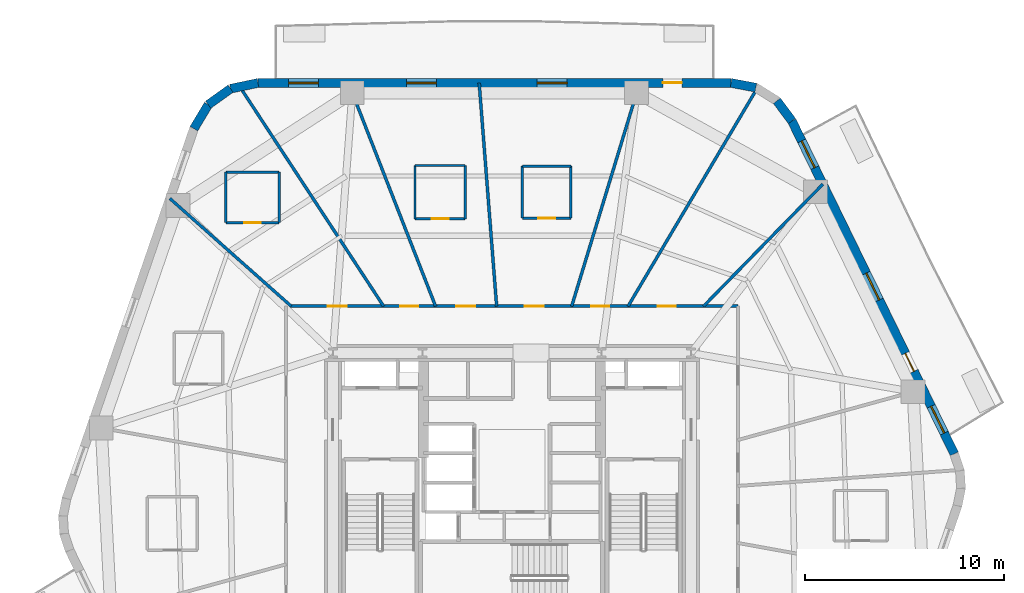
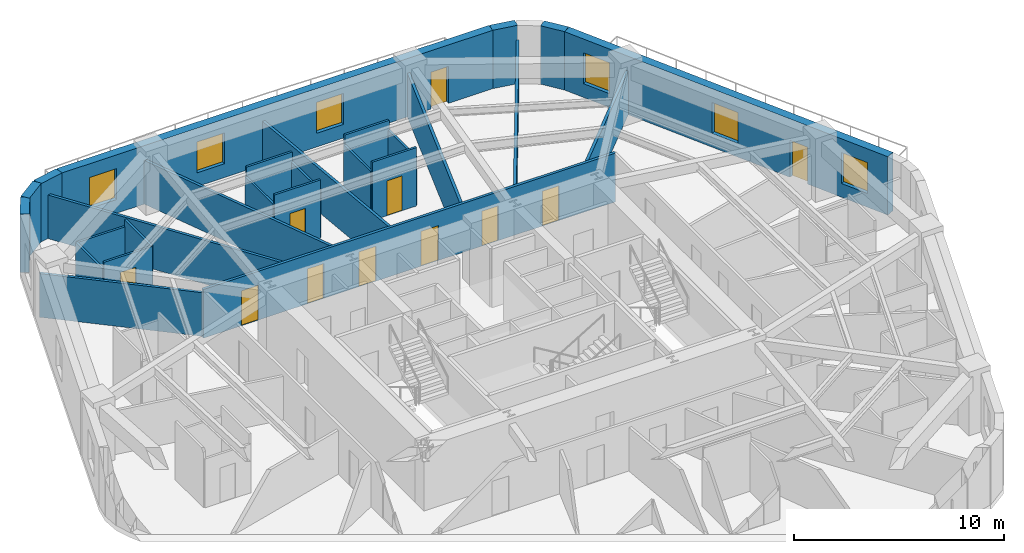
# One storey, part 6 of 10: 27 walls, 11 doors, 6 windows, 17 openings.
"""IFC4 building model written with IfcOpenShell, lengths in metres."""

from ifc_helpers import new_model, si_unit, direction, frame, frame_2d, origin, place, context, subcontext, project, spatial, rectangle, extrude, material, layer, layer_set, type_object, element, fill, save


model = new_model("IFC4")

# Units and contexts
model_context = context("Model", 3, precision=1e-05, world=origin(), true_north=direction((0.0, 1.0)))
body_context = subcontext(model_context, "Body", "Model", "MODEL_VIEW")
ifc_project = project(units=[si_unit("LENGTHUNIT", "METRE"), si_unit("AREAUNIT", "SQUARE_METRE"), si_unit("VOLUMEUNIT", "CUBIC_METRE"), si_unit("PLANEANGLEUNIT", "RADIAN"), si_unit("MASSUNIT", "GRAM", prefix="KILO")], contexts=[model_context])

# Site, building, storey
site_placement = place(None, origin())
site = spatial("IfcSite", under=ifc_project, at=site_placement, CompositionType="ELEMENT")
building_placement = place(site_placement, origin())
building = spatial("IfcBuilding", under=site, at=building_placement, Name="Kilnhurst Terrace Hotel", CompositionType="ELEMENT")
storey_placement = place(building_placement, frame((0.0, 0.0, 98.800048828125)))
storey = spatial("IfcBuildingStorey", under=building, at=storey_placement, Name="L23", CompositionType="ELEMENT", Elevation=98.800048828125)

# Walls
ifc_material_1 = material(Name="Precast concrete C40/50", Category="concrete")
ifc_layer_1 = layer(ifc_material_1, 0.449951171875, Name="Precast concrete C40/50")
ifc_layer_set_1 = layer_set([ifc_layer_1], Name="Precast concrete C40/50")
wall_type_1 = type_object("IfcWallType", Name="WL-BRK-450", PredefinedType="SOLIDWALL", material=ifc_layer_set_1)
for number, where, z_axis, x_axis, name in (
    (1, (14.07568359375, 19.16064453125, 0.0), (0.0, 0.0, 1.0), (-0.597226657159, 0.802072515412, 0.0), "L23 Rounded Corner Brick Wall C4.1"),
    (2, (12.25927734375, 20.840087890625, 0.0), (0.0, 0.0, 1.0), (-0.982730354425, 0.185043374624, 0.0), "L23 Rounded Corner Brick Wall C4.3"),
):
    element("IfcWall", number, at=place(storey_placement, frame(where, z_axis=z_axis, x_axis=x_axis)), inside=storey, type_object=wall_type_1, Name=name, PredefinedType="SOLIDWALL", context=body_context, shape_type="SweptSolid", body=[
        extrude(rectangle(XDim=1.269287109375, YDim=0.449951171875, at=frame_2d((0.634765625, 0.0))), origin(), (0.0, 0.0, 1.0), 3.39990234375),
    ])
wall_1_placement = place(storey_placement, frame((-12.7705078125, 21.074951171875, 0.0), z_axis=(0.0, 0.0, 1.0), x_axis=(-0.97874281988, -0.205091424819, 0.0)))
element("IfcWall", 3, at=wall_1_placement, inside=storey, type_object=wall_type_1, Name="L23 Rounded Corner Brick Wall C5.1", PredefinedType="SOLIDWALL", context=body_context, shape_type="SweptSolid", body=[
    extrude(rectangle(XDim=1.40576171875, YDim=0.449951171875, at=frame_2d((0.702880859375, 0.0))), origin(), (0.0, 0.0, 1.0), 3.39990234375),
])
wall_2_placement = place(storey_placement, frame((-14.146484375, 20.78662109375, 0.0), z_axis=(0.0, 0.0, 1.0), x_axis=(-0.814162929117, -0.580636482536, 0.0)))
element("IfcWall", 4, at=wall_2_placement, inside=storey, type_object=wall_type_1, Name="L23 Rounded Corner Brick Wall C5.2", PredefinedType="SOLIDWALL", context=body_context, shape_type="SweptSolid", body=[
    extrude(rectangle(XDim=1.382080078125, YDim=0.449951171875, at=frame_2d((0.69091796875, 0.0))), origin(), (0.0, 0.0, 1.0), 3.39990234375),
])
wall_3_placement = place(storey_placement, frame((-15.271728515625, 19.984130859375, 0.0), z_axis=(0.0, 0.0, 1.0), x_axis=(-0.512579347361, -0.858639862025, 0.0)))
element("IfcWall", 5, at=wall_3_placement, inside=storey, type_object=wall_type_1, Name="L23 Rounded Corner Brick Wall C5.3", PredefinedType="SOLIDWALL", context=body_context, shape_type="SweptSolid", body=[
    extrude(rectangle(XDim=1.406005859375, YDim=0.449951171875, at=frame_2d((0.703125, 0.0))), origin(), (0.0, 0.0, 1.0), 3.39990234375),
])

# Wall, openings, door, windows
wall_4_placement = place(storey_placement, frame((22.237548828125, 2.426513671875, 0.0), z_axis=(0.0, 0.0, 1.0), x_axis=(-0.438374803278, 0.898792262901, 0.0)))
wall_4 = element("IfcWall", 6, at=wall_4_placement, inside=storey, type_object=wall_type_1, Name="L23 Exterior Brick Facade Wall F3", PredefinedType="SOLIDWALL", context=body_context, shape_type="SweptSolid", body=[
    extrude(rectangle(XDim=18.618408203125, YDim=0.449951171875, at=frame_2d((9.30908203125, 0.0))), origin(), (0.0, 0.0, 1.0), 3.39990234375),
])
opening_1_placement = place(wall_4_placement, frame((4.6201171875, 0.0, 0.0)))
opening_1 = element("IfcOpeningElement", 7, at=opening_1_placement, cuts=wall_4, Name="Opening BD-1000", PredefinedType="OPENING", context=body_context, shape_type="SweptSolid", body=[
    extrude(rectangle(XDim=1.0, YDim=2.14990234375, at=frame_2d((0.5, 1.074951171875))), frame((0.0, 0.23486328125, 0.0), z_axis=(0.0, -1.0, 0.0), x_axis=(1.0, 0.0, 0.0)), (0.0, 0.0, 1.0), 0.469970703125),
])
opening_2_placement = place(wall_4_placement, frame((1.1630859375, 0.0, 0.800048828125)))
opening_2 = element("IfcOpeningElement", 8, at=opening_2_placement, cuts=wall_4, Name="Opening W-02", PredefinedType="OPENING", context=body_context, shape_type="SweptSolid", body=[
    extrude(rectangle(XDim=1.5, YDim=1.800048828125, at=frame_2d((0.75, 0.89990234375))), frame((0.0, 0.23486328125, 0.0), z_axis=(0.0, -1.0, 0.0), x_axis=(1.0, 0.0, 0.0)), (0.0, 0.0, 1.0), 0.469970703125),
])
opening_3_placement = place(wall_4_placement, frame((8.610107421875, 0.0, 0.800048828125)))
opening_3 = element("IfcOpeningElement", 9, at=opening_3_placement, cuts=wall_4, Name="Opening W-02", PredefinedType="OPENING", context=body_context, shape_type="SweptSolid", body=[
    extrude(rectangle(XDim=1.5, YDim=1.800048828125, at=frame_2d((0.75, 0.89990234375))), frame((0.0, 0.23486328125, 0.0), z_axis=(0.0, -1.0, 0.0), x_axis=(1.0, 0.0, 0.0)), (0.0, 0.0, 1.0), 0.469970703125),
])
opening_4_placement = place(wall_4_placement, frame((16.006103515625, 0.0, 0.800048828125)))
opening_4 = element("IfcOpeningElement", 10, at=opening_4_placement, cuts=wall_4, Name="Opening W-02", PredefinedType="OPENING", context=body_context, shape_type="SweptSolid", body=[
    extrude(rectangle(XDim=1.5, YDim=1.800048828125, at=frame_2d((0.75, 0.89990234375))), frame((0.0, 0.23486328125, 0.0), z_axis=(0.0, -1.0, 0.0), x_axis=(1.0, 0.0, 0.0)), (0.0, 0.0, 1.0), 0.469970703125),
])
ifc_material_2 = material(Name="Thermally Broken Bronze Aluminium Alloy 6063-T6 and Laminated Glass", Category="aluminium")
door_type_1 = type_object("IfcDoorType", Name="DR-EXT-BAL-1000", OperationType="NOTDEFINED", PredefinedType="DOOR", material=ifc_material_2)
door_1_placement = place(opening_1_placement, origin())
door_1 = element("IfcDoor", 11, at=door_1_placement, inside=storey, type_object=door_type_1, Name="L23 Planted Balcony Door BAL-L1A", OperationType="SINGLE_SWING_LEFT", OverallHeight=2.14990234375, OverallWidth=1.0, PredefinedType="DOOR", context=body_context, shape_type="SweptSolid", body=[
    extrude(rectangle(XDim=1.0, YDim=2.14990234375, at=frame_2d((0.5, 1.074951171875))), frame((0.0, 0.02490234375, 0.0), z_axis=(0.0, -1.0, 0.0), x_axis=(1.0, 0.0, 0.0)), (0.0, 0.0, 1.0), 0.050048828125),
])
fill(opening_1, door_1)
ifc_material_3 = material(Name="Thermally Broken Bronze Aluminium Alloy 6063-T6 and Low-E Glass", Category="aluminium")
window_type = type_object("IfcWindowType", Name="WIN-1500X1800", PartitioningType="SINGLE_PANEL", PredefinedType="WINDOW", material=ifc_material_3)
window_1_placement = place(opening_2_placement, origin())
window_1 = element("IfcWindow", 12, at=window_1_placement, inside=storey, type_object=window_type, Name="L23 Deep-Set Masonry Window F3.1", OverallHeight=1.800048828125, OverallWidth=1.5, PartitioningType="SINGLE_PANEL", PredefinedType="WINDOW", context=body_context, shape_type="SweptSolid", body=[
    extrude(rectangle(XDim=1.5, YDim=1.800048828125, at=frame_2d((0.75, 0.89990234375))), frame((0.0, 0.030029296875, 0.0), z_axis=(0.0, -1.0, 0.0), x_axis=(1.0, 0.0, 0.0)), (0.0, 0.0, 1.0), 0.06005859375),
])
fill(opening_2, window_1)
window_2_placement = place(opening_3_placement, origin())
window_2 = element("IfcWindow", 13, at=window_2_placement, inside=storey, type_object=window_type, Name="L23 Deep-Set Masonry Window F3.2", OverallHeight=1.800048828125, OverallWidth=1.5, PartitioningType="SINGLE_PANEL", PredefinedType="WINDOW", context=body_context, shape_type="SweptSolid", body=[
    extrude(rectangle(XDim=1.5, YDim=1.800048828125, at=frame_2d((0.75, 0.89990234375))), frame((0.0, 0.030029296875, 0.0), z_axis=(0.0, -1.0, 0.0), x_axis=(1.0, 0.0, 0.0)), (0.0, 0.0, 1.0), 0.06005859375),
])
fill(opening_3, window_2)
window_3_placement = place(opening_4_placement, origin())
window_3 = element("IfcWindow", 14, at=window_3_placement, inside=storey, type_object=window_type, Name="L23 Deep-Set Masonry Window F3.3", OverallHeight=1.800048828125, OverallWidth=1.5, PartitioningType="SINGLE_PANEL", PredefinedType="WINDOW", context=body_context, shape_type="SweptSolid", body=[
    extrude(rectangle(XDim=1.5, YDim=1.800048828125, at=frame_2d((0.75, 0.89990234375))), frame((0.0, 0.030029296875, 0.0), z_axis=(0.0, -1.0, 0.0), x_axis=(1.0, 0.0, 0.0)), (0.0, 0.0, 1.0), 0.06005859375),
])
fill(opening_4, window_3)

wall_5_placement = place(storey_placement, frame((11.011962890625, 21.074951171875, 0.0), z_axis=(0.0, 0.0, 1.0), x_axis=(-1.0, 0.0, 0.0)))
wall_5 = element("IfcWall", 15, at=wall_5_placement, inside=storey, type_object=wall_type_1, Name="L23 Exterior Brick Facade Wall F4", PredefinedType="SOLIDWALL", context=body_context, shape_type="SweptSolid", body=[
    extrude(rectangle(XDim=23.782470703125, YDim=0.449951171875, at=frame_2d((11.89111328125, 0.0))), origin(), (0.0, 0.0, 1.0), 3.39990234375),
])
opening_5_placement = place(wall_5_placement, frame((2.472900390625, 0.0, 0.0)))
opening_5 = element("IfcOpeningElement", 16, at=opening_5_placement, cuts=wall_5, Name="Opening BD-950", PredefinedType="OPENING", context=body_context, shape_type="SweptSolid", body=[
    extrude(rectangle(XDim=0.949951171875, YDim=2.14990234375, at=frame_2d((0.47509765625, 1.074951171875))), frame((0.0, 0.23486328125, 0.0), z_axis=(0.0, -1.0, 0.0), x_axis=(1.0, 0.0, 0.0)), (0.0, 0.0, 1.0), 0.469970703125),
])
opening_6_placement = place(wall_5_placement, frame((8.243896484375, 0.0, 0.800048828125)))
opening_6 = element("IfcOpeningElement", 17, at=opening_6_placement, cuts=wall_5, Name="Opening W-02", PredefinedType="OPENING", context=body_context, shape_type="SweptSolid", body=[
    extrude(rectangle(XDim=1.5, YDim=1.800048828125, at=frame_2d((0.75, 0.89990234375))), frame((0.0, 0.23486328125, 0.0), z_axis=(0.0, -1.0, 0.0), x_axis=(1.0, 0.0, 0.0)), (0.0, 0.0, 1.0), 0.469970703125),
])
opening_7_placement = place(wall_5_placement, frame((14.81103515625, 0.0, 0.800048828125)))
opening_7 = element("IfcOpeningElement", 18, at=opening_7_placement, cuts=wall_5, Name="Opening W-02", PredefinedType="OPENING", context=body_context, shape_type="SweptSolid", body=[
    extrude(rectangle(XDim=1.5, YDim=1.800048828125, at=frame_2d((0.75, 0.89990234375))), frame((0.0, 0.23486328125, 0.0), z_axis=(0.0, -1.0, 0.0), x_axis=(1.0, 0.0, 0.0)), (0.0, 0.0, 1.0), 0.469970703125),
])
opening_8_placement = place(wall_5_placement, frame((20.740966796875, 0.0, 0.800048828125)))
opening_8 = element("IfcOpeningElement", 19, at=opening_8_placement, cuts=wall_5, Name="Opening W-02", PredefinedType="OPENING", context=body_context, shape_type="SweptSolid", body=[
    extrude(rectangle(XDim=1.5, YDim=1.800048828125, at=frame_2d((0.75, 0.89990234375))), frame((0.0, 0.23486328125, 0.0), z_axis=(0.0, -1.0, 0.0), x_axis=(1.0, 0.0, 0.0)), (0.0, 0.0, 1.0), 0.469970703125),
])
door_type_2 = type_object("IfcDoorType", Name="DR-EXT-BAL-950", OperationType="NOTDEFINED", PredefinedType="DOOR", material=ifc_material_2)
door_2_placement = place(opening_5_placement, origin())
door_2 = element("IfcDoor", 20, at=door_2_placement, inside=storey, type_object=door_type_2, Name="L23 Planted Balcony Door BAL-L1B", OperationType="SINGLE_SWING_RIGHT", OverallHeight=2.14990234375, OverallWidth=0.949951171875, PredefinedType="DOOR", context=body_context, shape_type="SweptSolid", body=[
    extrude(rectangle(XDim=0.949951171875, YDim=2.14990234375, at=frame_2d((0.47509765625, 1.074951171875))), frame((0.0, 0.02490234375, 0.0), z_axis=(0.0, -1.0, 0.0), x_axis=(1.0, 0.0, 0.0)), (0.0, 0.0, 1.0), 0.050048828125),
])
fill(opening_5, door_2)
window_4_placement = place(opening_6_placement, origin())
window_4 = element("IfcWindow", 21, at=window_4_placement, inside=storey, type_object=window_type, Name="L23 Deep-Set Masonry Window F4.1", OverallHeight=1.800048828125, OverallWidth=1.5, PartitioningType="SINGLE_PANEL", PredefinedType="WINDOW", context=body_context, shape_type="SweptSolid", body=[
    extrude(rectangle(XDim=1.5, YDim=1.800048828125, at=frame_2d((0.75, 0.89990234375))), frame((0.0, 0.030029296875, 0.0), z_axis=(0.0, -1.0, 0.0), x_axis=(1.0, 0.0, 0.0)), (0.0, 0.0, 1.0), 0.06005859375),
])
fill(opening_6, window_4)
window_5_placement = place(opening_7_placement, origin())
window_5 = element("IfcWindow", 22, at=window_5_placement, inside=storey, type_object=window_type, Name="L23 Deep-Set Masonry Window F4.2", OverallHeight=1.800048828125, OverallWidth=1.5, PartitioningType="SINGLE_PANEL", PredefinedType="WINDOW", context=body_context, shape_type="SweptSolid", body=[
    extrude(rectangle(XDim=1.5, YDim=1.800048828125, at=frame_2d((0.75, 0.89990234375))), frame((0.0, 0.030029296875, 0.0), z_axis=(0.0, -1.0, 0.0), x_axis=(1.0, 0.0, 0.0)), (0.0, 0.0, 1.0), 0.06005859375),
])
fill(opening_7, window_5)
window_6_placement = place(opening_8_placement, origin())
window_6 = element("IfcWindow", 23, at=window_6_placement, inside=storey, type_object=window_type, Name="L23 Deep-Set Masonry Window F4.3", OverallHeight=1.800048828125, OverallWidth=1.5, PartitioningType="SINGLE_PANEL", PredefinedType="WINDOW", context=body_context, shape_type="SweptSolid", body=[
    extrude(rectangle(XDim=1.5, YDim=1.800048828125, at=frame_2d((0.75, 0.89990234375))), frame((0.0, 0.030029296875, 0.0), z_axis=(0.0, -1.0, 0.0), x_axis=(1.0, 0.0, 0.0)), (0.0, 0.0, 1.0), 0.06005859375),
])
fill(opening_8, window_6)

# Wall, openings, doors
ifc_material_4 = material(Name="Acoustic Double-Gypsum Corridor Partition Assembly")
ifc_layer_2 = layer(ifc_material_4, 0.14990234375, Name="Acoustic Double-Gypsum Corridor Partition Assembly")
ifc_layer_set_2 = layer_set([ifc_layer_2], Name="Acoustic Double-Gypsum Corridor Partition Assembly")
wall_type_2 = type_object("IfcWallType", Name="WL-COR-150", PredefinedType="PARTITIONING", material=ifc_layer_set_2)
wall_6_placement = place(storey_placement, frame((-11.35009765625, 9.85009765625, 0.0), z_axis=(0.0, 0.0, 1.0), x_axis=(1.0, 0.0, 0.0)))
wall_6 = element("IfcWall", 24, at=wall_6_placement, inside=storey, type_object=wall_type_2, Name="L23 Interior Wall WL-L23-COR-02", PredefinedType="PARTITIONING", context=body_context, shape_type="SweptSolid", body=[
    extrude(rectangle(XDim=22.7001953125, YDim=0.14990234375, at=frame_2d((11.35009765625, 0.0))), origin(), (0.0, 0.0, 1.0), 2.83984375),
])
opening_9_placement = place(wall_6_placement, frame((18.678955078125, 0.0, 0.0)))
opening_9 = element("IfcOpeningElement", 25, at=opening_9_placement, cuts=wall_6, Name="Opening D-60C", PredefinedType="OPENING", context=body_context, shape_type="SweptSolid", body=[
    extrude(rectangle(XDim=0.89990234375, YDim=2.030029296875, at=frame_2d((0.449951171875, 1.01513671875))), frame((0.0, 0.0849609375, 0.0), z_axis=(0.0, -1.0, 0.0), x_axis=(1.0, 0.0, 0.0)), (0.0, 0.0, 1.0), 0.169921875),
])
opening_10_placement = place(wall_6_placement, frame((15.3369140625, 0.0, 0.0)))
opening_10 = element("IfcOpeningElement", 26, at=opening_10_placement, cuts=wall_6, Name="Opening D-60C", PredefinedType="OPENING", context=body_context, shape_type="SweptSolid", body=[
    extrude(rectangle(XDim=0.89990234375, YDim=2.030029296875, at=frame_2d((0.449951171875, 1.01513671875))), frame((0.0, 0.0849609375, 0.0), z_axis=(0.0, -1.0, 0.0), x_axis=(1.0, 0.0, 0.0)), (0.0, 0.0, 1.0), 0.169921875),
])
opening_11_placement = place(wall_6_placement, frame((11.993896484375, 0.0, 0.0)))
opening_11 = element("IfcOpeningElement", 27, at=opening_11_placement, cuts=wall_6, Name="Opening D-60B", PredefinedType="OPENING", context=body_context, shape_type="SweptSolid", body=[
    extrude(rectangle(XDim=0.949951171875, YDim=2.030029296875, at=frame_2d((0.47509765625, 1.01513671875))), frame((0.0, 0.0849609375, 0.0), z_axis=(0.0, -1.0, 0.0), x_axis=(1.0, 0.0, 0.0)), (0.0, 0.0, 1.0), 0.169921875),
])
opening_12_placement = place(wall_6_placement, frame((8.55908203125, 0.0, 0.0)))
opening_12 = element("IfcOpeningElement", 28, at=opening_12_placement, cuts=wall_6, Name="Opening D-60B", PredefinedType="OPENING", context=body_context, shape_type="SweptSolid", body=[
    extrude(rectangle(XDim=0.949951171875, YDim=2.030029296875, at=frame_2d((0.47509765625, 1.01513671875))), frame((0.0, 0.0849609375, 0.0), z_axis=(0.0, -1.0, 0.0), x_axis=(1.0, 0.0, 0.0)), (0.0, 0.0, 1.0), 0.169921875),
])
opening_13_placement = place(wall_6_placement, frame((5.72802734375, 0.0, 0.0)))
opening_13 = element("IfcOpeningElement", 29, at=opening_13_placement, cuts=wall_6, Name="Opening D-60C", PredefinedType="OPENING", context=body_context, shape_type="SweptSolid", body=[
    extrude(rectangle(XDim=0.89990234375, YDim=2.030029296875, at=frame_2d((0.449951171875, 1.01513671875))), frame((0.0, 0.0849609375, 0.0), z_axis=(0.0, -1.0, 0.0), x_axis=(1.0, 0.0, 0.0)), (0.0, 0.0, 1.0), 0.169921875),
])
opening_14_placement = place(wall_6_placement, frame((2.093017578125, 0.0, 0.0)))
opening_14 = element("IfcOpeningElement", 30, at=opening_14_placement, cuts=wall_6, Name="Opening D-60B", PredefinedType="OPENING", context=body_context, shape_type="SweptSolid", body=[
    extrude(rectangle(XDim=0.949951171875, YDim=2.030029296875, at=frame_2d((0.47509765625, 1.01513671875))), frame((0.0, 0.0849609375, 0.0), z_axis=(0.0, -1.0, 0.0), x_axis=(1.0, 0.0, 0.0)), (0.0, 0.0, 1.0), 0.169921875),
])
ifc_material_5 = material(Name="Painted Solid-Core Service Fire Door")
door_type_3 = type_object("IfcDoorType", Name="DR-FD60-900", OperationType="NOTDEFINED", PredefinedType="DOOR", material=ifc_material_5)
door_3_placement = place(opening_9_placement, origin())
door_3 = element("IfcDoor", 31, at=door_3_placement, inside=storey, type_object=door_type_3, Name="L23 Executive Work Office Door 3", OperationType="SINGLE_SWING_LEFT", OverallHeight=2.030029296875, OverallWidth=0.89990234375, PredefinedType="DOOR", context=body_context, shape_type="SweptSolid", body=[
    extrude(rectangle(XDim=0.89990234375, YDim=2.030029296875, at=frame_2d((0.449951171875, 1.01513671875))), frame((0.0, 0.02490234375, 0.0), z_axis=(0.0, -1.0, 0.0), x_axis=(1.0, 0.0, 0.0)), (0.0, 0.0, 1.0), 0.050048828125),
])
fill(opening_9, door_3)
door_4_placement = place(opening_10_placement, origin())
door_4 = element("IfcDoor", 32, at=door_4_placement, inside=storey, type_object=door_type_3, Name="L23 Botanical Reading Lounge Door 4", OperationType="SINGLE_SWING_RIGHT", OverallHeight=2.030029296875, OverallWidth=0.89990234375, PredefinedType="DOOR", context=body_context, shape_type="SweptSolid", body=[
    extrude(rectangle(XDim=0.89990234375, YDim=2.030029296875, at=frame_2d((0.449951171875, 1.01513671875))), frame((0.0, 0.02490234375, 0.0), z_axis=(0.0, -1.0, 0.0), x_axis=(1.0, 0.0, 0.0)), (0.0, 0.0, 1.0), 0.050048828125),
])
fill(opening_10, door_4)
door_5_placement = place(opening_13_placement, origin())
door_5 = element("IfcDoor", 33, at=door_5_placement, inside=storey, type_object=door_type_3, Name="L23 Private Meeting Salon Door 7", OperationType="SINGLE_SWING_LEFT", OverallHeight=2.030029296875, OverallWidth=0.89990234375, PredefinedType="DOOR", context=body_context, shape_type="SweptSolid", body=[
    extrude(rectangle(XDim=0.89990234375, YDim=2.030029296875, at=frame_2d((0.449951171875, 1.01513671875))), frame((0.0, 0.02490234375, 0.0), z_axis=(0.0, -1.0, 0.0), x_axis=(1.0, 0.0, 0.0)), (0.0, 0.0, 1.0), 0.050048828125),
])
fill(opening_13, door_5)
ifc_material_6 = material(Name="Acoustic Walnut Veneer Solid-Core Fire Door")
door_type_4 = type_object("IfcDoorType", Name="DR-FD60-950", OperationType="NOTDEFINED", PredefinedType="DOOR", material=ifc_material_6)
door_6_placement = place(opening_11_placement, origin())
door_6 = element("IfcDoor", 34, at=door_6_placement, inside=storey, type_object=door_type_4, Name="L23 Guest Room Entry Door 5", OperationType="SINGLE_SWING_LEFT", OverallHeight=2.030029296875, OverallWidth=0.949951171875, PredefinedType="DOOR", context=body_context, shape_type="SweptSolid", body=[
    extrude(rectangle(XDim=0.949951171875, YDim=2.030029296875, at=frame_2d((0.47509765625, 1.01513671875))), frame((0.0, 0.02490234375, 0.0), z_axis=(0.0, -1.0, 0.0), x_axis=(1.0, 0.0, 0.0)), (0.0, 0.0, 1.0), 0.050048828125),
])
fill(opening_11, door_6)
door_7_placement = place(opening_12_placement, origin())
door_7 = element("IfcDoor", 35, at=door_7_placement, inside=storey, type_object=door_type_4, Name="L23 Guest Room Entry Door 6", OperationType="SINGLE_SWING_RIGHT", OverallHeight=2.030029296875, OverallWidth=0.949951171875, PredefinedType="DOOR", context=body_context, shape_type="SweptSolid", body=[
    extrude(rectangle(XDim=0.949951171875, YDim=2.030029296875, at=frame_2d((0.47509765625, 1.01513671875))), frame((0.0, 0.02490234375, 0.0), z_axis=(0.0, -1.0, 0.0), x_axis=(1.0, 0.0, 0.0)), (0.0, 0.0, 1.0), 0.050048828125),
])
fill(opening_12, door_7)
door_8_placement = place(opening_14_placement, origin())
door_8 = element("IfcDoor", 36, at=door_8_placement, inside=storey, type_object=door_type_4, Name="L23 Guest Room Entry Door 8", OperationType="SINGLE_SWING_RIGHT", OverallHeight=2.030029296875, OverallWidth=0.949951171875, PredefinedType="DOOR", context=body_context, shape_type="SweptSolid", body=[
    extrude(rectangle(XDim=0.949951171875, YDim=2.030029296875, at=frame_2d((0.47509765625, 1.01513671875))), frame((0.0, 0.02490234375, 0.0), z_axis=(0.0, -1.0, 0.0), x_axis=(1.0, 0.0, 0.0)), (0.0, 0.0, 1.0), 0.050048828125),
])
fill(opening_14, door_8)

# Walls
ifc_material_7 = material(Name="STC-58 Acoustic Twin-Frame Guestroom Demising Partition")
ifc_layer_3 = layer(ifc_material_7, 0.14990234375, Name="STC-58 Acoustic Twin-Frame Guestroom Demising Partition")
ifc_layer_set_3 = layer_set([ifc_layer_3], Name="STC-58 Acoustic Twin-Frame Guestroom Demising Partition")
wall_type_3 = type_object("IfcWallType", Name="WL-DEM-150", PredefinedType="PARTITIONING", material=ifc_layer_set_3)
wall_7_placement = place(storey_placement, frame((9.6279296875, 9.85009765625, 0.0), z_axis=(0.0, 0.0, 1.0), x_axis=(0.698992824326, 0.715128681805, 0.0)))
element("IfcWall", 37, at=wall_7_placement, inside=storey, type_object=wall_type_3, Name="L23 Interior Wall WL-L23-DEM-COL02-03-1", PredefinedType="PARTITIONING", context=body_context, shape_type="SweptSolid", body=[
    extrude(rectangle(XDim=8.578857421875, YDim=0.14990234375, at=frame_2d((4.28955078125, 0.0))), origin(), (0.0, 0.0, 1.0), 2.5400390625),
])
wall_8_placement = place(storey_placement, frame((5.835205078125, 9.85009765625, 0.0), z_axis=(0.0, 0.0, 1.0), x_axis=(0.509682574642, 0.860362524234, 0.0)))
element("IfcWall", 38, at=wall_8_placement, inside=storey, type_object=wall_type_3, Name="L23 Interior Wall WL-L23-DEM-MID02-04-1", PredefinedType="PARTITIONING", context=body_context, shape_type="SweptSolid", body=[
    extrude(rectangle(XDim=12.567626953125, YDim=0.14990234375, at=frame_2d((6.28369140625, 0.0))), origin(), (0.0, 0.0, 1.0), 2.5400390625),
])
wall_9_placement = place(storey_placement, frame((3.0, 9.85009765625, 0.0), z_axis=(0.0, 0.0, 1.0), x_axis=(0.291352035382, 0.95661590593, 0.0)))
element("IfcWall", 39, at=wall_9_placement, inside=storey, type_object=wall_type_3, Name="L23 Interior Wall WL-L23-DEM-COL03-05-1", PredefinedType="PARTITIONING", context=body_context, shape_type="SweptSolid", body=[
    extrude(rectangle(XDim=11.73388671875, YDim=0.14990234375, at=frame_2d((5.866943359375, 0.0))), origin(), (0.0, 0.0, 1.0), 2.5400390625),
])
wall_10_placement = place(storey_placement, frame((-0.771728515625, 9.85009765625, 0.0), z_axis=(0.0, 0.0, 1.0), x_axis=(-0.078125747145, 0.996943512759, 0.0)))
element("IfcWall", 40, at=wall_10_placement, inside=storey, type_object=wall_type_3, Name="L23 Interior Wall WL-L23-DEM-MID03-06-1", PredefinedType="PARTITIONING", context=body_context, shape_type="SweptSolid", body=[
    extrude(rectangle(XDim=11.25927734375, YDim=0.14990234375, at=frame_2d((5.629638671875, 0.0))), origin(), (0.0, 0.0, 1.0), 2.5400390625),
])
wall_11_placement = place(storey_placement, frame((-3.84228515625, 9.85009765625, 0.0), z_axis=(0.0, 0.0, 1.0), x_axis=(-0.363432685593, 0.931620460833, 0.0)))
element("IfcWall", 41, at=wall_11_placement, inside=storey, type_object=wall_type_3, Name="L23 Interior Wall WL-L23-DEM-COL04-07-1", PredefinedType="PARTITIONING", context=body_context, shape_type="SweptSolid", body=[
    extrude(rectangle(XDim=12.048828125, YDim=0.14990234375, at=frame_2d((6.0244140625, 0.0))), origin(), (0.0, 0.0, 1.0), 2.5400390625),
])
wall_12_placement = place(storey_placement, frame((-6.453857421875, 9.85009765625, 0.0), z_axis=(0.0, 0.0, 1.0), x_axis=(-0.548052950111, 0.836443640584, 0.0)))
element("IfcWall", 42, at=wall_12_placement, inside=storey, type_object=wall_type_3, Name="L23 Interior Wall WL-L23-DEM-MID04-08-1", PredefinedType="PARTITIONING", context=body_context, shape_type="SweptSolid", body=[
    extrude(rectangle(XDim=13.019287109375, YDim=0.14990234375, at=frame_2d((6.509765625, 0.0))), origin(), (0.0, 0.0, 1.0), 2.5400390625),
])
wall_13_placement = place(storey_placement, frame((-11.097900390625, 9.85009765625, 0.0), z_axis=(0.0, 0.0, 1.0), x_axis=(-0.747904295103, 0.663806572253, 0.0)))
element("IfcWall", 43, at=wall_13_placement, inside=storey, type_object=wall_type_3, Name="L23 Interior Wall WL-L23-DEM-COL05-09-1", PredefinedType="PARTITIONING", context=body_context, shape_type="SweptSolid", body=[
    extrude(rectangle(XDim=8.160400390625, YDim=0.14990234375, at=frame_2d((4.080078125, 0.0))), origin(), (0.0, 0.0, 1.0), 2.5400390625),
])

# Wall, opening, door
ifc_material_8 = material(Name="120 mm Moisture-Resistant Tile-Backed Bathroom Partition")
ifc_layer_4 = layer(ifc_material_8, 0.1201171875, Name="120 mm Moisture-Resistant Tile-Backed Bathroom Partition")
ifc_layer_set_4 = layer_set([ifc_layer_4], Name="120 mm Moisture-Resistant Tile-Backed Bathroom Partition")
wall_type_4 = type_object("IfcWallType", Name="WL-PART-120", PredefinedType="PARTITIONING", material=ifc_layer_set_4)
wall_14_placement = place(storey_placement, frame((0.52099609375, 14.281982421875, 0.0), z_axis=(0.0, 0.0, 1.0), x_axis=(1.0, 0.0, 0.0)))
wall_14 = element("IfcWall", 44, at=wall_14_placement, inside=storey, type_object=wall_type_4, Name="L23 Interior Wall WL-L23-BTH-05-1", PredefinedType="PARTITIONING", context=body_context, shape_type="SweptSolid", body=[
    extrude(rectangle(XDim=2.43994140625, YDim=0.1201171875, at=frame_2d((1.219970703125, 0.0))), origin(), (0.0, 0.0, 1.0), 3.39990234375),
])
opening_15_placement = place(wall_14_placement, frame((0.794921875, 0.0, 0.0)))
opening_15 = element("IfcOpeningElement", 45, at=opening_15_placement, cuts=wall_14, Name="Opening D-08A", PredefinedType="OPENING", context=body_context, shape_type="SweptSolid", body=[
    extrude(rectangle(XDim=0.85009765625, YDim=2.030029296875, at=frame_2d((0.425048828125, 1.01513671875))), frame((0.0, 0.070068359375, 0.0), z_axis=(0.0, -1.0, 0.0), x_axis=(1.0, 0.0, 0.0)), (0.0, 0.0, 1.0), 0.14013671875),
])
ifc_material_9 = material(Name="Moisture-Resistant Lacquered En-suite Bathroom Door")
door_type_5 = type_object("IfcDoorType", Name="DR-INT-850", OperationType="NOTDEFINED", PredefinedType="DOOR", material=ifc_material_9)
door_9_placement = place(opening_15_placement, origin())
door_9 = element("IfcDoor", 46, at=door_9_placement, inside=storey, type_object=door_type_5, Name="L23 En-suite Bathroom Door 5", OperationType="SINGLE_SWING_RIGHT", OverallHeight=2.030029296875, OverallWidth=0.85009765625, PredefinedType="DOOR", context=body_context, shape_type="SweptSolid", body=[
    extrude(rectangle(XDim=0.85009765625, YDim=2.030029296875, at=frame_2d((0.425048828125, 1.01513671875))), frame((0.0, 0.02490234375, 0.0), z_axis=(0.0, -1.0, 0.0), x_axis=(1.0, 0.0, 0.0)), (0.0, 0.0, 1.0), 0.050048828125),
])
fill(opening_15, door_9)

# Walls
wall_15_placement = place(storey_placement, frame((2.9609375, 14.281982421875, 0.0), z_axis=(0.0, 0.0, 1.0), x_axis=(0.0, 1.0, 0.0)))
element("IfcWall", 47, at=wall_15_placement, inside=storey, type_object=wall_type_4, Name="L23 Interior Wall WL-L23-BTH-05-2", PredefinedType="PARTITIONING", context=body_context, shape_type="SweptSolid", body=[
    extrude(rectangle(XDim=2.610107421875, YDim=0.1201171875, at=frame_2d((1.30517578125, 0.0))), origin(), (0.0, 0.0, 1.0), 2.84033203125),
])
wall_16_placement = place(storey_placement, frame((2.9609375, 16.89208984375, 0.0), z_axis=(0.0, 0.0, 1.0), x_axis=(-1.0, 0.0, 0.0)))
element("IfcWall", 48, at=wall_16_placement, inside=storey, type_object=wall_type_4, Name="L23 Interior Wall WL-L23-BTH-05-3", PredefinedType="PARTITIONING", context=body_context, shape_type="SweptSolid", body=[
    extrude(rectangle(XDim=2.43994140625, YDim=0.1201171875, at=frame_2d((1.219970703125, 0.0))), origin(), (0.0, 0.0, 1.0), 3.39990234375),
])
wall_17_placement = place(storey_placement, frame((0.52099609375, 16.89208984375, 0.0), z_axis=(0.0, 0.0, 1.0), x_axis=(0.0, -1.0, 0.0)))
element("IfcWall", 49, at=wall_17_placement, inside=storey, type_object=wall_type_4, Name="L23 Interior Wall WL-L23-BTH-05-4", PredefinedType="PARTITIONING", context=body_context, shape_type="SweptSolid", body=[
    extrude(rectangle(XDim=2.610107421875, YDim=0.1201171875, at=frame_2d((1.30517578125, 0.0))), origin(), (0.0, 0.0, 1.0), 2.84033203125),
])

# Wall, opening, door
wall_18_placement = place(storey_placement, frame((-4.8740234375, 14.2470703125, 0.0), z_axis=(0.0, 0.0, 1.0), x_axis=(1.0, 0.0, 0.0)))
wall_18 = element("IfcWall", 50, at=wall_18_placement, inside=storey, type_object=wall_type_4, Name="L23 Interior Wall WL-L23-BTH-06-1", PredefinedType="PARTITIONING", context=body_context, shape_type="SweptSolid", body=[
    extrude(rectangle(XDim=2.52001953125, YDim=0.1201171875, at=frame_2d((1.260009765625, 0.0))), origin(), (0.0, 0.0, 1.0), 3.39990234375),
])
opening_16_placement = place(wall_18_placement, frame((0.8349609375, 0.0, 0.0)))
opening_16 = element("IfcOpeningElement", 51, at=opening_16_placement, cuts=wall_18, Name="Opening D-08A", PredefinedType="OPENING", context=body_context, shape_type="SweptSolid", body=[
    extrude(rectangle(XDim=0.85009765625, YDim=2.030029296875, at=frame_2d((0.425048828125, 1.01513671875))), frame((0.0, 0.070068359375, 0.0), z_axis=(0.0, -1.0, 0.0), x_axis=(1.0, 0.0, 0.0)), (0.0, 0.0, 1.0), 0.14013671875),
])
door_10_placement = place(opening_16_placement, origin())
door_10 = element("IfcDoor", 52, at=door_10_placement, inside=storey, type_object=door_type_5, Name="L23 En-suite Bathroom Door 6", OperationType="SINGLE_SWING_LEFT", OverallHeight=2.030029296875, OverallWidth=0.85009765625, PredefinedType="DOOR", context=body_context, shape_type="SweptSolid", body=[
    extrude(rectangle(XDim=0.85009765625, YDim=2.030029296875, at=frame_2d((0.425048828125, 1.01513671875))), frame((0.0, 0.02490234375, 0.0), z_axis=(0.0, -1.0, 0.0), x_axis=(1.0, 0.0, 0.0)), (0.0, 0.0, 1.0), 0.050048828125),
])
fill(opening_16, door_10)

# Walls
wall_19_placement = place(storey_placement, frame((-2.35400390625, 14.2470703125, 0.0), z_axis=(0.0, 0.0, 1.0), x_axis=(0.0, 1.0, 0.0)))
element("IfcWall", 53, at=wall_19_placement, inside=storey, type_object=wall_type_4, Name="L23 Interior Wall WL-L23-BTH-06-2", PredefinedType="PARTITIONING", context=body_context, shape_type="SweptSolid", body=[
    extrude(rectangle(XDim=2.679931640625, YDim=0.1201171875, at=frame_2d((1.33984375, 0.0))), origin(), (0.0, 0.0, 1.0), 2.84033203125),
])
wall_20_placement = place(storey_placement, frame((-2.35400390625, 16.927001953125, 0.0), z_axis=(0.0, 0.0, 1.0), x_axis=(-1.0, 0.0, 0.0)))
element("IfcWall", 54, at=wall_20_placement, inside=storey, type_object=wall_type_4, Name="L23 Interior Wall WL-L23-BTH-06-3", PredefinedType="PARTITIONING", context=body_context, shape_type="SweptSolid", body=[
    extrude(rectangle(XDim=2.52001953125, YDim=0.1201171875, at=frame_2d((1.260009765625, 0.0))), origin(), (0.0, 0.0, 1.0), 3.39990234375),
])
wall_21_placement = place(storey_placement, frame((-4.8740234375, 16.927001953125, 0.0), z_axis=(0.0, 0.0, 1.0), x_axis=(0.0, -1.0, 0.0)))
element("IfcWall", 55, at=wall_21_placement, inside=storey, type_object=wall_type_4, Name="L23 Interior Wall WL-L23-BTH-06-4", PredefinedType="PARTITIONING", context=body_context, shape_type="SweptSolid", body=[
    extrude(rectangle(XDim=2.679931640625, YDim=0.1201171875, at=frame_2d((1.33984375, 0.0))), origin(), (0.0, 0.0, 1.0), 2.84033203125),
])

# Wall, opening, door
wall_22_placement = place(storey_placement, frame((-14.387939453125, 14.049072265625, 0.0), z_axis=(0.0, 0.0, 1.0), x_axis=(1.0, 0.0, 0.0)))
wall_22 = element("IfcWall", 56, at=wall_22_placement, inside=storey, type_object=wall_type_4, Name="L23 Interior Wall WL-L23-BTH-08-1", PredefinedType="PARTITIONING", context=body_context, shape_type="SweptSolid", body=[
    extrude(rectangle(XDim=2.679931640625, YDim=0.1201171875, at=frame_2d((1.33984375, 0.0))), origin(), (0.0, 0.0, 1.0), 2.926513671875),
])
opening_17_placement = place(wall_22_placement, frame((0.9150390625, 0.0, 0.0)))
opening_17 = element("IfcOpeningElement", 57, at=opening_17_placement, cuts=wall_22, Name="Opening D-08A", PredefinedType="OPENING", context=body_context, shape_type="SweptSolid", body=[
    extrude(rectangle(XDim=0.85009765625, YDim=2.030029296875, at=frame_2d((0.425048828125, 1.01513671875))), frame((0.0, 0.070068359375, 0.0), z_axis=(0.0, -1.0, 0.0), x_axis=(1.0, 0.0, 0.0)), (0.0, 0.0, 1.0), 0.14013671875),
])
door_11_placement = place(opening_17_placement, origin())
door_11 = element("IfcDoor", 58, at=door_11_placement, inside=storey, type_object=door_type_5, Name="L23 En-suite Bathroom Door 8", OperationType="SINGLE_SWING_LEFT", OverallHeight=2.030029296875, OverallWidth=0.85009765625, PredefinedType="DOOR", context=body_context, shape_type="SweptSolid", body=[
    extrude(rectangle(XDim=0.85009765625, YDim=2.030029296875, at=frame_2d((0.425048828125, 1.01513671875))), frame((0.0, 0.02490234375, 0.0), z_axis=(0.0, -1.0, 0.0), x_axis=(1.0, 0.0, 0.0)), (0.0, 0.0, 1.0), 0.050048828125),
])
fill(opening_17, door_11)

# Walls
wall_23_placement = place(storey_placement, frame((-11.7080078125, 14.049072265625, 0.0), z_axis=(0.0, 0.0, 1.0), x_axis=(0.0, 1.0, 0.0)))
element("IfcWall", 59, at=wall_23_placement, inside=storey, type_object=wall_type_4, Name="L23 Interior Wall WL-L23-BTH-08-2", PredefinedType="PARTITIONING", context=body_context, shape_type="SweptSolid", body=[
    extrude(rectangle(XDim=2.5400390625, YDim=0.1201171875, at=frame_2d((1.27001953125, 0.0))), origin(), (0.0, 0.0, 1.0), 2.926513671875),
])
wall_24_placement = place(storey_placement, frame((-11.7080078125, 16.589111328125, 0.0), z_axis=(0.0, 0.0, 1.0), x_axis=(-1.0, 0.0, 0.0)))
element("IfcWall", 60, at=wall_24_placement, inside=storey, type_object=wall_type_4, Name="L23 Interior Wall WL-L23-BTH-08-3", PredefinedType="PARTITIONING", context=body_context, shape_type="SweptSolid", body=[
    extrude(rectangle(XDim=2.679931640625, YDim=0.1201171875, at=frame_2d((1.33984375, 0.0))), origin(), (0.0, 0.0, 1.0), 2.5400390625),
])
wall_25_placement = place(storey_placement, frame((-14.387939453125, 16.589111328125, 0.0), z_axis=(0.0, 0.0, 1.0), x_axis=(0.0, -1.0, 0.0)))
element("IfcWall", 61, at=wall_25_placement, inside=storey, type_object=wall_type_4, Name="L23 Interior Wall WL-L23-BTH-08-4", PredefinedType="PARTITIONING", context=body_context, shape_type="SweptSolid", body=[
    extrude(rectangle(XDim=2.5400390625, YDim=0.1201171875, at=frame_2d((1.27001953125, 0.0))), origin(), (0.0, 0.0, 1.0), 2.5400390625),
])

save(model, "model.ifc")
